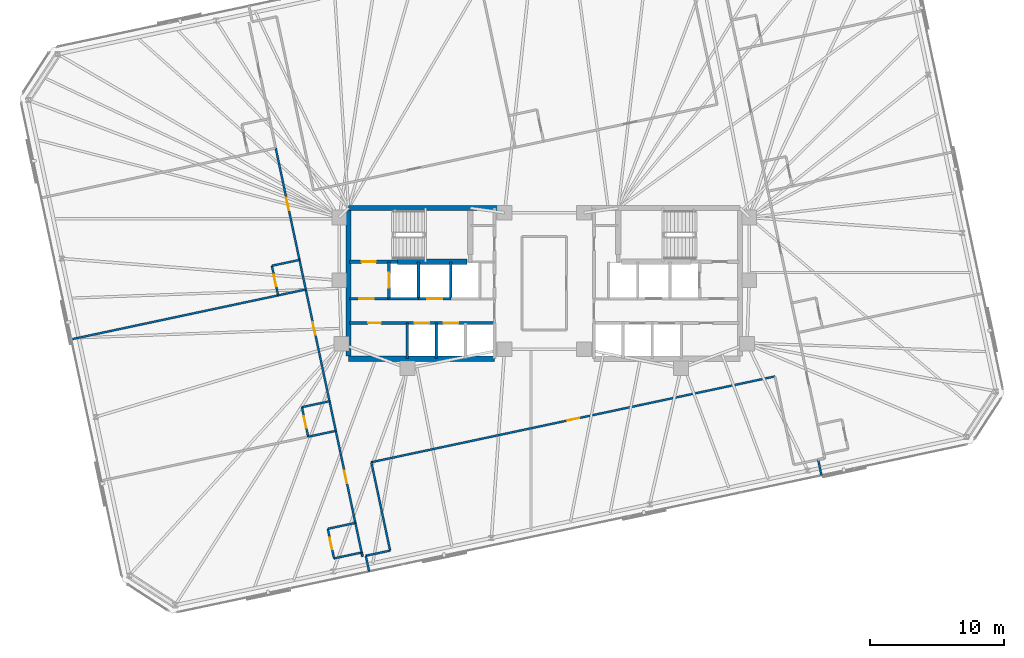
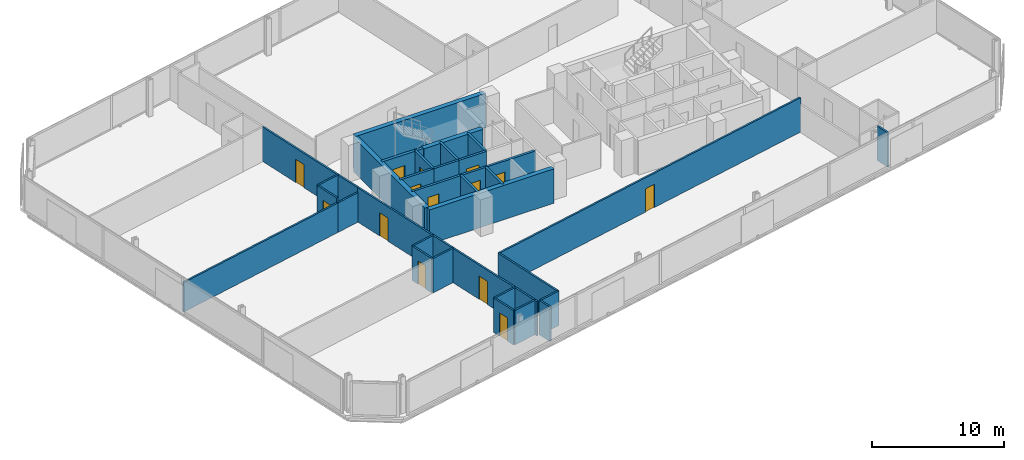
# One storey, part 14 of 19: 36 walls, 14 doors, 14 openings.
"""IFC4 building model written with IfcOpenShell, lengths in metres."""

from ifc_helpers import new_model, si_unit, direction, frame, frame_2d, origin, place, context, subcontext, project, spatial, rectangle, extrude, material, layer, layer_set, type_object, element, fill, save


model = new_model("IFC4")

# Units and contexts
model_context = context("Model", 3, precision=1e-05, world=origin(), true_north=direction((0.0, 1.0)))
body_context = subcontext(model_context, "Body", "Model", "MODEL_VIEW")
ifc_project = project(units=[si_unit("LENGTHUNIT", "METRE"), si_unit("AREAUNIT", "SQUARE_METRE"), si_unit("VOLUMEUNIT", "CUBIC_METRE"), si_unit("PLANEANGLEUNIT", "RADIAN"), si_unit("MASSUNIT", "GRAM", prefix="KILO")], contexts=[model_context])

# Site, building, storey
site_placement = place(None, origin())
site = spatial("IfcSite", under=ifc_project, at=site_placement, CompositionType="ELEMENT")
building_placement = place(site_placement, origin())
building = spatial("IfcBuilding", under=site, at=building_placement, Name="Menara Jurai Vektor", CompositionType="ELEMENT")
storey_placement = place(building_placement, frame((0.0, 0.0, 171.800048828125)))
storey = spatial("IfcBuildingStorey", under=building, at=storey_placement, Name="L44", CompositionType="ELEMENT", Elevation=171.800048828125)

# Wall, opening, door
ifc_material_1 = material(Name="Concrete C40/50", Category="concrete")
ifc_layer_1 = layer(ifc_material_1, 0.25)
ifc_layer_set_1 = layer_set([ifc_layer_1], Name="Concrete C40/50")
wall_type_1 = type_object("IfcWallType", Name="INT-WALL-CORE-250", PredefinedType="STANDARD", material=ifc_layer_set_1)
wall_1_placement = place(storey_placement, frame((-14.5, 1.60009765625, 0.0), z_axis=(0.0, 0.0, 1.0), x_axis=(1.0, 0.0, 0.0)))
wall_1 = element("IfcWall", 1, at=wall_1_placement, inside=storey, type_object=wall_type_1, Name="Interior Wall IW-250 L44", PredefinedType="STANDARD", context=body_context, shape_type="SweptSolid", body=[
    extrude(rectangle(XDim=3.60009765625, YDim=0.25, at=frame_2d((1.800048828125, 0.0))), origin(), (0.0, 0.0, 1.0), 3.175048828125),
])
opening_1_placement = place(wall_1_placement, frame((0.919921875, 0.0, 0.0)))
opening_1 = element("IfcOpeningElement", 2, at=opening_1_placement, cuts=wall_1, Name="Opening D-L44-ST1", PredefinedType="OPENING", context=body_context, shape_type="SweptSolid", body=[
    extrude(rectangle(XDim=1.050048828125, YDim=2.14990234375, at=frame_2d((0.52490234375, 1.074951171875))), frame((0.0, 0.135009765625, 0.0), z_axis=(0.0, -1.0, 0.0), x_axis=(1.0, 0.0, 0.0)), (0.0, 0.0, 1.0), 0.27001953125),
])
ifc_material_2 = material(Name="Fire-Rated Steel Door", Category="steel")
door_type_1 = type_object("IfcDoorType", Name="DR-STAIR-1050", OperationType="NOTDEFINED", PredefinedType="DOOR", material=ifc_material_2)
door_1_placement = place(opening_1_placement, origin())
door_1 = element("IfcDoor", 3, at=door_1_placement, inside=storey, type_object=door_type_1, Name="Exit Stair ST1 Door L44", OperationType="SINGLE_SWING_RIGHT", OverallHeight=2.14990234375, OverallWidth=1.050048828125, PredefinedType="DOOR", context=body_context, shape_type="SweptSolid", body=[
    extrude(rectangle(XDim=1.050048828125, YDim=2.14990234375, at=frame_2d((0.52490234375, 1.074951171875))), frame((0.0, 0.02490234375, 0.0), z_axis=(0.0, -1.0, 0.0), x_axis=(1.0, 0.0, 0.0)), (0.0, 0.0, 1.0), 0.050048828125),
])
fill(opening_1, door_1)

wall_2_placement = place(storey_placement, frame((-11.550048828125, -1.14990234375, 0.0), z_axis=(0.0, 0.0, 1.0), x_axis=(0.0, 1.0, 0.0)))
wall_2 = element("IfcWall", 4, at=wall_2_placement, inside=storey, type_object=wall_type_1, Name="Interior Wall IW-250 L44", PredefinedType="STANDARD", context=body_context, shape_type="SweptSolid", body=[
    extrude(rectangle(XDim=2.75, YDim=0.199951171875, at=frame_2d((1.375, 0.0))), origin(), (0.0, 0.0, 1.0), 3.175048828125),
])
opening_2_placement = place(wall_2_placement, frame((0.824951171875, 0.0, 0.0)))
opening_2 = element("IfcOpeningElement", 5, at=opening_2_placement, cuts=wall_2, Name="Opening LD-L44-FL1", PredefinedType="OPENING", context=body_context, shape_type="SweptSolid", body=[
    extrude(rectangle(XDim=1.10009765625, YDim=2.14990234375, at=frame_2d((0.550048828125, 1.074951171875))), frame((0.0, 0.10986328125, 0.0), z_axis=(0.0, -1.0, 0.0), x_axis=(1.0, 0.0, 0.0)), (0.0, 0.0, 1.0), 0.219970703125),
])
ifc_material_3 = material(Name="Stainless Steel Sliding Lift Landing Door", Category="steel")
door_type_2 = type_object("IfcDoorType", Name="DR-LIFT-FIRE-1100", OperationType="NOTDEFINED", PredefinedType="DOOR", material=ifc_material_3)
door_2_placement = place(opening_2_placement, origin())
door_2 = element("IfcDoor", 6, at=door_2_placement, inside=storey, type_object=door_type_2, Name="Lift Landing Door FL1 L44", OperationType="SLIDING_TO_RIGHT", OverallHeight=2.14990234375, OverallWidth=1.10009765625, PredefinedType="DOOR", context=body_context, shape_type="SweptSolid", body=[
    extrude(rectangle(XDim=1.10009765625, YDim=2.14990234375, at=frame_2d((0.550048828125, 1.074951171875))), frame((0.0, 0.02490234375, 0.0), z_axis=(0.0, -1.0, 0.0), x_axis=(1.0, 0.0, 0.0)), (0.0, 0.0, 1.0), 0.050048828125),
])
fill(opening_2, door_2)

# Wall
wall_3_placement = place(storey_placement, frame((-9.35009765625, -1.14990234375, 0.0), z_axis=(0.0, 0.0, 1.0), x_axis=(0.0, 1.0, 0.0)))
element("IfcWall", 7, at=wall_3_placement, inside=storey, type_object=wall_type_1, Name="Interior Wall IW-250 L44", PredefinedType="STANDARD", context=body_context, shape_type="SweptSolid", body=[
    extrude(rectangle(XDim=2.75, YDim=0.199951171875, at=frame_2d((1.375, 0.0))), origin(), (0.0, 0.0, 1.0), 3.175048828125),
])

# Wall, opening, door
wall_4_placement = place(storey_placement, frame((-14.5, -1.14990234375, 0.0), z_axis=(0.0, 0.0, 1.0), x_axis=(1.0, 0.0, 0.0)))
wall_4 = element("IfcWall", 8, at=wall_4_placement, inside=storey, type_object=wall_type_1, Name="Interior Wall IW-250 L44", PredefinedType="STANDARD", context=body_context, shape_type="SweptSolid", body=[
    extrude(rectangle(XDim=2.949951171875, YDim=0.199951171875, at=frame_2d((1.47509765625, 0.0))), origin(), (0.0, 0.0, 1.0), 3.175048828125),
])
opening_3_placement = place(wall_4_placement, frame((0.75, 0.0, 0.0)))
opening_3 = element("IfcOpeningElement", 9, at=opening_3_placement, cuts=wall_4, Name="Opening D-L44-FFW", PredefinedType="OPENING", context=body_context, shape_type="SweptSolid", body=[
    extrude(rectangle(XDim=1.050048828125, YDim=2.179931640625, at=frame_2d((0.52490234375, 1.08984375))), frame((0.0, 0.10986328125, 0.0), z_axis=(0.0, -1.0, 0.0), x_axis=(1.0, 0.0, 0.0)), (0.0, 0.0, 1.0), 0.219970703125),
])
ifc_material_4 = material(Name="Fire-Rated Timber Door", Category="wood")
door_type_3 = type_object("IfcDoorType", Name="DR-LOBBY-1050", OperationType="NOTDEFINED", PredefinedType="DOOR", material=ifc_material_4)
door_3_placement = place(opening_3_placement, origin())
door_3 = element("IfcDoor", 10, at=door_3_placement, inside=storey, type_object=door_type_3, Name="Fire Lift Lobby Door W L44", OperationType="SINGLE_SWING_RIGHT", OverallHeight=2.179931640625, OverallWidth=1.050048828125, PredefinedType="DOOR", context=body_context, shape_type="SweptSolid", body=[
    extrude(rectangle(XDim=1.050048828125, YDim=2.179931640625, at=frame_2d((0.52490234375, 1.08984375))), frame((0.0, 0.02490234375, 0.0), z_axis=(0.0, -1.0, 0.0), x_axis=(1.0, 0.0, 0.0)), (0.0, 0.0, 1.0), 0.050048828125),
])
fill(opening_3, door_3)

# Walls
wall_5_placement = place(storey_placement, frame((-11.550048828125, -1.14990234375, 0.0), z_axis=(0.0, 0.0, 1.0), x_axis=(1.0, 0.0, 0.0)))
element("IfcWall", 11, at=wall_5_placement, inside=storey, type_object=wall_type_1, Name="Interior Wall IW-250 L44", PredefinedType="STANDARD", context=body_context, shape_type="SweptSolid", body=[
    extrude(rectangle(XDim=2.199951171875, YDim=0.199951171875, at=frame_2d((1.10009765625, 0.0))), origin(), (0.0, 0.0, 1.0), 3.175048828125),
])
ifc_material_5 = material(Name="Gypsum Fireboard Partition", Category="gypsum")
ifc_layer_2 = layer(ifc_material_5, 0.14990234375)
ifc_layer_set_2 = layer_set([ifc_layer_2], Name="Gypsum Fireboard Partition")
wall_type_2 = type_object("IfcWallType", Name="INT-WALL-CORR-150", PredefinedType="PARTITIONING", material=ifc_layer_set_2)
wall_6_placement = place(storey_placement, frame((-13.274169921875, -20.264892578125, 0.0), z_axis=(0.0, 0.0, 1.0), x_axis=(0.978160192495, 0.207852442415, 0.0)))
element("IfcWall", 12, at=wall_6_placement, inside=storey, type_object=wall_type_2, Name="Interior Wall IW-150 L44", PredefinedType="PARTITIONING", context=body_context, shape_type="SweptSolid", body=[
    extrude(rectangle(XDim=1.849853515625, YDim=0.14990234375, at=frame_2d((0.9248046875, 0.0))), origin(), (0.0, 0.0, 1.0), 3.175048828125),
])
wall_7_placement = place(storey_placement, frame((-11.464599609375, -19.88037109375, 0.0), z_axis=(0.0, 0.0, 1.0), x_axis=(-0.207916109912, 0.978146661416, 0.0)))
element("IfcWall", 13, at=wall_7_placement, inside=storey, type_object=wall_type_2, Name="Interior Wall IW-150 L44", PredefinedType="PARTITIONING", context=body_context, shape_type="SweptSolid", body=[
    extrude(rectangle(XDim=6.72021484375, YDim=0.14990234375, at=frame_2d((3.360107421875, 0.0))), origin(), (0.0, 0.0, 1.0), 3.175048828125),
])

# Wall, opening, door
wall_8_placement = place(storey_placement, frame((-12.86181640625, -13.30712890625, 0.0), z_axis=(0.0, 0.0, 1.0), x_axis=(0.97814793387, 0.207910123527, 0.0)))
wall_8 = element("IfcWall", 14, at=wall_8_placement, inside=storey, type_object=wall_type_2, Name="Interior Wall IW-150 L44", PredefinedType="PARTITIONING", context=body_context, shape_type="SweptSolid", body=[
    extrude(rectangle(XDim=30.695068359375, YDim=0.14990234375, at=frame_2d((15.34765625, 0.0))), origin(), (0.0, 0.0, 1.0), 3.175048828125),
])
opening_4_placement = place(wall_8_placement, frame((14.887451171875, 0.0, 0.0)))
opening_4 = element("IfcOpeningElement", 15, at=opening_4_placement, cuts=wall_8, Name="Opening D44-10", PredefinedType="OPENING", context=body_context, shape_type="SweptSolid", body=[
    extrude(rectangle(XDim=0.919921875, YDim=2.14990234375, at=frame_2d((0.4599609375, 1.074951171875))), frame((0.0, 0.0849609375, 0.0), z_axis=(0.0, -1.0, 0.0), x_axis=(1.0, 0.0, 0.0)), (0.0, 0.0, 1.0), 0.169921875),
])
ifc_material_6 = material(Name="Solid Core Timber Fire Door", Category="wood")
door_type_4 = type_object("IfcDoorType", Name="DR-ENTRY-950", OperationType="NOTDEFINED", PredefinedType="DOOR", material=ifc_material_6)
door_4_placement = place(opening_4_placement, origin())
door_4 = element("IfcDoor", 16, at=door_4_placement, inside=storey, type_object=door_type_4, Name="Interior Door D44-10", OperationType="SINGLE_SWING_LEFT", OverallHeight=2.14990234375, OverallWidth=0.919921875, PredefinedType="DOOR", context=body_context, shape_type="SweptSolid", body=[
    extrude(rectangle(XDim=0.919921875, YDim=2.14990234375, at=frame_2d((0.4599609375, 1.074951171875))), frame((0.0, 0.02490234375, 0.0), z_axis=(0.0, -1.0, 0.0), x_axis=(1.0, 0.0, 0.0)), (0.0, 0.0, 1.0), 0.050048828125),
])
fill(opening_4, door_4)

# Wall
wall_9_placement = place(storey_placement, frame((-13.518798828125, -20.31689453125, 0.0), z_axis=(0.0, 0.0, 1.0), x_axis=(-0.207527808066, 0.978229118806, 0.0)))
element("IfcWall", 17, at=wall_9_placement, inside=storey, type_object=wall_type_2, Name="Interior Wall IW-150 L44", PredefinedType="PARTITIONING", context=body_context, shape_type="SweptSolid", body=[
    extrude(rectangle(XDim=0.300048828125, YDim=0.14990234375, at=frame_2d((0.14990234375, 0.0))), origin(), (0.0, 0.0, 1.0), 3.175048828125),
])

# Wall, opening, door
wall_10_placement = place(storey_placement, frame((-14.048828125, -17.822509765625, 0.0), z_axis=(0.0, 0.0, 1.0), x_axis=(-0.207940096132, 0.978141562567, 0.0)))
wall_10 = element("IfcWall", 18, at=wall_10_placement, inside=storey, type_object=wall_type_2, Name="Interior Wall IW-150 L44", PredefinedType="PARTITIONING", context=body_context, shape_type="SweptSolid", body=[
    extrude(rectangle(XDim=7.0, YDim=0.14990234375, at=frame_2d((3.5, 0.0))), origin(), (0.0, 0.0, 1.0), 3.175048828125),
])
opening_5_placement = place(wall_10_placement, frame((3.02490234375, 0.0, 0.0)))
opening_5 = element("IfcOpeningElement", 19, at=opening_5_placement, cuts=wall_10, Name="Opening D44-11", PredefinedType="OPENING", context=body_context, shape_type="SweptSolid", body=[
    extrude(rectangle(XDim=0.949951171875, YDim=2.14990234375, at=frame_2d((0.47509765625, 1.074951171875))), frame((0.0, 0.0849609375, 0.0), z_axis=(0.0, -1.0, 0.0), x_axis=(1.0, 0.0, 0.0)), (0.0, 0.0, 1.0), 0.169921875),
])
door_5_placement = place(opening_5_placement, origin())
door_5 = element("IfcDoor", 20, at=door_5_placement, inside=storey, type_object=door_type_4, Name="Interior Door D44-11", OperationType="SINGLE_SWING_RIGHT", OverallHeight=2.14990234375, OverallWidth=0.949951171875, PredefinedType="DOOR", context=body_context, shape_type="SweptSolid", body=[
    extrude(rectangle(XDim=0.949951171875, YDim=2.14990234375, at=frame_2d((0.47509765625, 1.074951171875))), frame((0.0, 0.02490234375, 0.0), z_axis=(0.0, -1.0, 0.0), x_axis=(1.0, 0.0, 0.0)), (0.0, 0.0, 1.0), 0.050048828125),
])
fill(opening_5, door_5)

# Wall
wall_11_placement = place(storey_placement, frame((-13.5810546875, -20.0234375, 0.0), z_axis=(0.0, 0.0, 1.0), x_axis=(-0.207891197838, 0.978151956427, 0.0)))
element("IfcWall", 21, at=wall_11_placement, inside=storey, type_object=wall_type_2, Name="Interior Wall IW-150 L44", PredefinedType="PARTITIONING", context=body_context, shape_type="SweptSolid", body=[
    extrude(rectangle(XDim=2.25, YDim=0.14990234375, at=frame_2d((1.125, 0.0))), origin(), (0.0, 0.0, 1.0), 3.175048828125),
])

# Wall, opening, door
wall_12_placement = place(storey_placement, frame((-15.97216796875, -8.774658203125, 0.0), z_axis=(0.0, 0.0, 1.0), x_axis=(-0.207894825434, 0.97815118543, 0.0)))
wall_12 = element("IfcWall", 22, at=wall_12_placement, inside=storey, type_object=wall_type_2, Name="Interior Wall IW-150 L44", PredefinedType="PARTITIONING", context=body_context, shape_type="SweptSolid", body=[
    extrude(rectangle(XDim=8.5, YDim=0.14990234375, at=frame_2d((4.25, 0.0))), origin(), (0.0, 0.0, 1.0), 3.175048828125),
])
opening_6_placement = place(wall_12_placement, frame((5.050048828125, 0.0, 0.0)))
opening_6 = element("IfcOpeningElement", 23, at=opening_6_placement, cuts=wall_12, Name="Opening D44-13", PredefinedType="OPENING", context=body_context, shape_type="SweptSolid", body=[
    extrude(rectangle(XDim=0.949951171875, YDim=2.14990234375, at=frame_2d((0.47509765625, 1.074951171875))), frame((0.0, 0.0849609375, 0.0), z_axis=(0.0, -1.0, 0.0), x_axis=(1.0, 0.0, 0.0)), (0.0, 0.0, 1.0), 0.169921875),
])
door_6_placement = place(opening_6_placement, origin())
door_6 = element("IfcDoor", 24, at=door_6_placement, inside=storey, type_object=door_type_4, Name="Interior Door D44-13", OperationType="SINGLE_SWING_RIGHT", OverallHeight=2.14990234375, OverallWidth=0.949951171875, PredefinedType="DOOR", context=body_context, shape_type="SweptSolid", body=[
    extrude(rectangle(XDim=0.949951171875, YDim=2.14990234375, at=frame_2d((0.47509765625, 1.074951171875))), frame((0.0, 0.02490234375, 0.0), z_axis=(0.0, -1.0, 0.0), x_axis=(1.0, 0.0, 0.0)), (0.0, 0.0, 1.0), 0.050048828125),
])
fill(opening_6, door_6)

# Wall
wall_13_placement = place(storey_placement, frame((-15.50439453125, -10.9755859375, 0.0), z_axis=(0.0, 0.0, 1.0), x_axis=(-0.207891197838, 0.978151956427, 0.0)))
element("IfcWall", 25, at=wall_13_placement, inside=storey, type_object=wall_type_2, Name="Interior Wall IW-150 L44", PredefinedType="PARTITIONING", context=body_context, shape_type="SweptSolid", body=[
    extrude(rectangle(XDim=2.25, YDim=0.14990234375, at=frame_2d((1.125, 0.0))), origin(), (0.0, 0.0, 1.0), 3.175048828125),
])

# Wall, opening, door
wall_14_placement = place(storey_placement, frame((-18.20703125, 1.740478515625, 0.0), z_axis=(0.0, 0.0, 1.0), x_axis=(-0.207922306475, 0.978145344246, 0.0)))
wall_14 = element("IfcWall", 26, at=wall_14_placement, inside=storey, type_object=wall_type_2, Name="Interior Wall IW-150 L44", PredefinedType="PARTITIONING", context=body_context, shape_type="SweptSolid", body=[
    extrude(rectangle(XDim=8.5, YDim=0.14990234375, at=frame_2d((4.25, 0.0))), origin(), (0.0, 0.0, 1.0), 3.175048828125),
])
opening_7_placement = place(wall_14_placement, frame((3.77490234375, 0.0, 0.0)))
opening_7 = element("IfcOpeningElement", 27, at=opening_7_placement, cuts=wall_14, Name="Opening D44-15", PredefinedType="OPENING", context=body_context, shape_type="SweptSolid", body=[
    extrude(rectangle(XDim=0.949951171875, YDim=2.14990234375, at=frame_2d((0.47509765625, 1.074951171875))), frame((0.0, 0.0849609375, 0.0), z_axis=(0.0, -1.0, 0.0), x_axis=(1.0, 0.0, 0.0)), (0.0, 0.0, 1.0), 0.169921875),
])
door_7_placement = place(opening_7_placement, origin())
door_7 = element("IfcDoor", 28, at=door_7_placement, inside=storey, type_object=door_type_4, Name="Interior Door D44-15", OperationType="SINGLE_SWING_RIGHT", OverallHeight=2.14990234375, OverallWidth=0.949951171875, PredefinedType="DOOR", context=body_context, shape_type="SweptSolid", body=[
    extrude(rectangle(XDim=0.949951171875, YDim=2.14990234375, at=frame_2d((0.47509765625, 1.074951171875))), frame((0.0, 0.02490234375, 0.0), z_axis=(0.0, -1.0, 0.0), x_axis=(1.0, 0.0, 0.0)), (0.0, 0.0, 1.0), 0.050048828125),
])
fill(opening_7, door_7)

# Walls
wall_15_placement = place(storey_placement, frame((-17.7392578125, -0.46044921875, 0.0), z_axis=(0.0, 0.0, 1.0), x_axis=(-0.207891197838, 0.978151956427, 0.0)))
element("IfcWall", 29, at=wall_15_placement, inside=storey, type_object=wall_type_2, Name="Interior Wall IW-150 L44", PredefinedType="PARTITIONING", context=body_context, shape_type="SweptSolid", body=[
    extrude(rectangle(XDim=2.25, YDim=0.14990234375, at=frame_2d((1.125, 0.0))), origin(), (0.0, 0.0, 1.0), 3.175048828125),
])
for number, where, z_axis, x_axis, name in (
    (30, (-13.024658203125, -21.438720703125, 0.0), (0.0, 0.0, 1.0), (-0.207917150959, 0.978146440129, 0.0), "Interior Wall IW-150 L44"),
    (31, (20.61865234375, -14.28759765625, 0.0), (0.0, 0.0, 1.0), (-0.207917150959, 0.978146440129, 0.0), "Interior Wall IW-150 L44"),
):
    element("IfcWall", number, at=place(storey_placement, frame(where, z_axis=z_axis, x_axis=x_axis)), inside=storey, type_object=wall_type_2, Name=name, PredefinedType="PARTITIONING", context=body_context, shape_type="SweptSolid", body=[
        extrude(rectangle(XDim=1.199951171875, YDim=0.14990234375, at=frame_2d((0.60009765625, 0.0))), origin(), (0.0, 0.0, 1.0), 3.175048828125),
    ])

# Wall, opening, door
wall_16_placement = place(storey_placement, frame((-15.63525390625, -20.4599609375, 0.0), z_axis=(0.0, 0.0, 1.0), x_axis=(-0.207913264065, 0.978147266328, 0.0)))
wall_16 = element("IfcWall", 32, at=wall_16_placement, inside=storey, type_object=wall_type_2, Name="Interior Wall IW-150 L44", PredefinedType="PARTITIONING", context=body_context, shape_type="SweptSolid", body=[
    extrude(rectangle(XDim=2.249755859375, YDim=0.14990234375, at=frame_2d((1.125, 0.0))), origin(), (0.0, 0.0, 1.0), 3.175048828125),
])
opening_8_placement = place(wall_16_placement, frame((0.68505859375, 0.0, 0.0)))
opening_8 = element("IfcOpeningElement", 33, at=opening_8_placement, cuts=wall_16, Name="Opening D44-12", PredefinedType="OPENING", context=body_context, shape_type="SweptSolid", body=[
    extrude(rectangle(XDim=0.8798828125, YDim=2.14990234375, at=frame_2d((0.43994140625, 1.074951171875))), frame((0.0, 0.0849609375, 0.0), z_axis=(0.0, -1.0, 0.0), x_axis=(1.0, 0.0, 0.0)), (0.0, 0.0, 1.0), 0.169921875),
])
ifc_material_7 = material(Name="Moisture-Resistant Timber Door", Category="wood")
door_type_5 = type_object("IfcDoorType", Name="DR-BATH-880", OperationType="NOTDEFINED", PredefinedType="DOOR", material=ifc_material_7)
door_8_placement = place(opening_8_placement, origin())
door_8 = element("IfcDoor", 34, at=door_8_placement, inside=storey, type_object=door_type_5, Name="Interior Door D44-12", OperationType="SINGLE_SWING_LEFT", OverallHeight=2.14990234375, OverallWidth=0.8798828125, PredefinedType="DOOR", context=body_context, shape_type="SweptSolid", body=[
    extrude(rectangle(XDim=0.8798828125, YDim=2.14990234375, at=frame_2d((0.43994140625, 1.074951171875))), frame((0.0, 0.02490234375, 0.0), z_axis=(0.0, -1.0, 0.0), x_axis=(1.0, 0.0, 0.0)), (0.0, 0.0, 1.0), 0.050048828125),
])
fill(opening_8, door_8)

# Walls
for number, where, z_axis, x_axis, name in (
    (35, (-15.63525390625, -20.4599609375, 0.0), (0.0, 0.0, 1.0), (0.97815826, 0.207861536591, 0.0), "Interior Wall IW-150 L44"),
    (36, (-16.10302734375, -18.25927734375, 0.0), (0.0, 0.0, 1.0), (0.978134617382, 0.207972763311, 0.0), "Interior Wall IW-150 L44"),
):
    element("IfcWall", number, at=place(storey_placement, frame(where, z_axis=z_axis, x_axis=x_axis)), inside=storey, type_object=wall_type_2, Name=name, PredefinedType="PARTITIONING", context=body_context, shape_type="SweptSolid", body=[
        extrude(rectangle(XDim=2.10009765625, YDim=0.14990234375, at=frame_2d((1.050048828125, 0.0))), origin(), (0.0, 0.0, 1.0), 3.175048828125),
    ])
wall_17_placement = place(storey_placement, frame((-17.558349609375, -11.412109375, 0.0), z_axis=(0.0, 0.0, 1.0), x_axis=(0.978153236239, 0.207885176084, 0.0)))
element("IfcWall", 37, at=wall_17_placement, inside=storey, type_object=wall_type_2, Name="Interior Wall IW-150 L44", PredefinedType="PARTITIONING", context=body_context, shape_type="SweptSolid", body=[
    extrude(rectangle(XDim=2.099853515625, YDim=0.14990234375, at=frame_2d((1.0498046875, 0.0))), origin(), (0.0, 0.0, 1.0), 3.175048828125),
])

# Wall, opening, door
wall_18_placement = place(storey_placement, frame((-17.558349609375, -11.412109375, 0.0), z_axis=(0.0, 0.0, 1.0), x_axis=(-0.207891197838, 0.978151956427, 0.0)))
wall_18 = element("IfcWall", 38, at=wall_18_placement, inside=storey, type_object=wall_type_2, Name="Interior Wall IW-150 L44", PredefinedType="PARTITIONING", context=body_context, shape_type="SweptSolid", body=[
    extrude(rectangle(XDim=2.25, YDim=0.14990234375, at=frame_2d((1.125, 0.0))), origin(), (0.0, 0.0, 1.0), 3.175048828125),
])
opening_9_placement = place(wall_18_placement, frame((0.68505859375, 0.0, 0.0)))
opening_9 = element("IfcOpeningElement", 39, at=opening_9_placement, cuts=wall_18, Name="Opening D44-14", PredefinedType="OPENING", context=body_context, shape_type="SweptSolid", body=[
    extrude(rectangle(XDim=0.8798828125, YDim=2.14990234375, at=frame_2d((0.43994140625, 1.074951171875))), frame((0.0, 0.0849609375, 0.0), z_axis=(0.0, -1.0, 0.0), x_axis=(1.0, 0.0, 0.0)), (0.0, 0.0, 1.0), 0.169921875),
])
door_9_placement = place(opening_9_placement, origin())
door_9 = element("IfcDoor", 40, at=door_9_placement, inside=storey, type_object=door_type_5, Name="Interior Door D44-14", OperationType="SINGLE_SWING_LEFT", OverallHeight=2.14990234375, OverallWidth=0.8798828125, PredefinedType="DOOR", context=body_context, shape_type="SweptSolid", body=[
    extrude(rectangle(XDim=0.8798828125, YDim=2.14990234375, at=frame_2d((0.43994140625, 1.074951171875))), frame((0.0, 0.02490234375, 0.0), z_axis=(0.0, -1.0, 0.0), x_axis=(1.0, 0.0, 0.0)), (0.0, 0.0, 1.0), 0.050048828125),
])
fill(opening_9, door_9)

# Wall
wall_19_placement = place(storey_placement, frame((-18.026123046875, -9.211181640625, 0.0), z_axis=(0.0, 0.0, 1.0), x_axis=(0.978153236239, 0.207885176084, 0.0)))
element("IfcWall", 41, at=wall_19_placement, inside=storey, type_object=wall_type_2, Name="Interior Wall IW-150 L44", PredefinedType="PARTITIONING", context=body_context, shape_type="SweptSolid", body=[
    extrude(rectangle(XDim=2.099853515625, YDim=0.14990234375, at=frame_2d((1.0498046875, 0.0))), origin(), (0.0, 0.0, 1.0), 3.175048828125),
])

# Wall, opening, door
wall_20_placement = place(storey_placement, frame((-19.79345703125, -0.897216796875, 0.0), z_axis=(0.0, 0.0, 1.0), x_axis=(-0.207891197838, 0.978151956427, 0.0)))
wall_20 = element("IfcWall", 42, at=wall_20_placement, inside=storey, type_object=wall_type_2, Name="Interior Wall IW-150 L44", PredefinedType="PARTITIONING", context=body_context, shape_type="SweptSolid", body=[
    extrude(rectangle(XDim=2.25, YDim=0.14990234375, at=frame_2d((1.125, 0.0))), origin(), (0.0, 0.0, 1.0), 3.175048828125),
])
opening_10_placement = place(wall_20_placement, frame((0.68505859375, 0.0, 0.0)))
opening_10 = element("IfcOpeningElement", 43, at=opening_10_placement, cuts=wall_20, Name="Opening D44-16", PredefinedType="OPENING", context=body_context, shape_type="SweptSolid", body=[
    extrude(rectangle(XDim=0.8798828125, YDim=2.14990234375, at=frame_2d((0.43994140625, 1.074951171875))), frame((0.0, 0.0849609375, 0.0), z_axis=(0.0, -1.0, 0.0), x_axis=(1.0, 0.0, 0.0)), (0.0, 0.0, 1.0), 0.169921875),
])
door_10_placement = place(opening_10_placement, origin())
door_10 = element("IfcDoor", 44, at=door_10_placement, inside=storey, type_object=door_type_5, Name="Interior Door D44-16", OperationType="SINGLE_SWING_LEFT", OverallHeight=2.14990234375, OverallWidth=0.8798828125, PredefinedType="DOOR", context=body_context, shape_type="SweptSolid", body=[
    extrude(rectangle(XDim=0.8798828125, YDim=2.14990234375, at=frame_2d((0.43994140625, 1.074951171875))), frame((0.0, 0.02490234375, 0.0), z_axis=(0.0, -1.0, 0.0), x_axis=(1.0, 0.0, 0.0)), (0.0, 0.0, 1.0), 0.050048828125),
])
fill(opening_10, door_10)

# Walls
wall_21_placement = place(storey_placement, frame((-20.26123046875, 1.3037109375, 0.0), z_axis=(0.0, 0.0, 1.0), x_axis=(0.978134617382, 0.207972763311, 0.0)))
element("IfcWall", 45, at=wall_21_placement, inside=storey, type_object=wall_type_2, Name="Interior Wall IW-150 L44", PredefinedType="PARTITIONING", context=body_context, shape_type="SweptSolid", body=[
    extrude(rectangle(XDim=2.10009765625, YDim=0.14990234375, at=frame_2d((1.050048828125, 0.0))), origin(), (0.0, 0.0, 1.0), 3.175048828125),
])
ifc_layer_3 = layer(ifc_material_5, 0.14990234375)
ifc_layer_set_3 = layer_set([ifc_layer_3], Name="Gypsum Fireboard Partition")
wall_type_3 = type_object("IfcWallType", Name="INT-WALL-CORR-150-H1", PredefinedType="PARTITIONING", material=ifc_layer_set_3)
wall_22_placement = place(storey_placement, frame((-35.16796875, -4.1650390625, 0.0), z_axis=(0.0, 0.0, 1.0), x_axis=(0.978149296727, 0.207903711638, 0.0)))
element("IfcWall", 46, at=wall_22_placement, inside=storey, type_object=wall_type_3, Name="Interior Wall IW-150 L44", PredefinedType="PARTITIONING", context=body_context, shape_type="SweptSolid", body=[
    extrude(rectangle(XDim=15.718017578125, YDim=0.14990234375, at=frame_2d((7.85888671875, 0.0))), origin(), (0.0, 0.0, 1.0), 2.724853515625),
])
wall_23_placement = place(storey_placement, frame((-19.79345703125, -0.897216796875, 0.0), z_axis=(0.0, 0.0, 1.0), x_axis=(0.978134617382, 0.207972763311, 0.0)))
element("IfcWall", 47, at=wall_23_placement, inside=storey, type_object=wall_type_3, Name="Interior Wall IW-150 L44", PredefinedType="PARTITIONING", context=body_context, shape_type="SweptSolid", body=[
    extrude(rectangle(XDim=2.10009765625, YDim=0.14990234375, at=frame_2d((1.050048828125, 0.0))), origin(), (0.0, 0.0, 1.0), 2.724853515625),
])
ifc_layer_4 = layer(ifc_material_1, 0.199951171875)
ifc_layer_set_4 = layer_set([ifc_layer_4], Name="Concrete C40/50")
wall_type_4 = type_object("IfcWallType", Name="INT-WALL-SHAFT-200", PredefinedType="STANDARD", material=ifc_layer_set_4)
wall_24_placement = place(storey_placement, frame((-6.949951171875, -1.14990234375, 0.0), z_axis=(0.0, 0.0, 1.0), x_axis=(0.0, 1.0, 0.0)))
element("IfcWall", 48, at=wall_24_placement, inside=storey, type_object=wall_type_4, Name="Interior Wall IW-200 L44", PredefinedType="STANDARD", context=body_context, shape_type="SweptSolid", body=[
    extrude(rectangle(XDim=2.75, YDim=0.199951171875, at=frame_2d((1.375, 0.0))), origin(), (0.0, 0.0, 1.0), 3.175048828125),
])

# Wall, opening, door
wall_25_placement = place(storey_placement, frame((-9.35009765625, -1.14990234375, 0.0), z_axis=(0.0, 0.0, 1.0), x_axis=(1.0, 0.0, 0.0)))
wall_25 = element("IfcWall", 49, at=wall_25_placement, inside=storey, type_object=wall_type_4, Name="Interior Wall IW-200 L44", PredefinedType="STANDARD", context=body_context, shape_type="SweptSolid", body=[
    extrude(rectangle(XDim=2.400146484375, YDim=0.199951171875, at=frame_2d((1.2001953125, 0.0))), origin(), (0.0, 0.0, 1.0), 3.175048828125),
])
opening_11_placement = place(wall_25_placement, frame((0.64990234375, 0.0, 0.0)))
opening_11 = element("IfcOpeningElement", 50, at=opening_11_placement, cuts=wall_25, Name="Opening LD-L44-SVL1", PredefinedType="OPENING", context=body_context, shape_type="SweptSolid", body=[
    extrude(rectangle(XDim=1.10009765625, YDim=2.14990234375, at=frame_2d((0.550048828125, 1.074951171875))), frame((0.0, 0.10986328125, 0.0), z_axis=(0.0, -1.0, 0.0), x_axis=(1.0, 0.0, 0.0)), (0.0, 0.0, 1.0), 0.219970703125),
])
ifc_material_8 = material(Name="Anodised Stainless Sliding Lift Landing Door", Category="steel")
door_type_6 = type_object("IfcDoorType", Name="DR-LIFT-PASS-1100", OperationType="NOTDEFINED", PredefinedType="DOOR", material=ifc_material_8)
door_11_placement = place(opening_11_placement, origin())
door_11 = element("IfcDoor", 51, at=door_11_placement, inside=storey, type_object=door_type_6, Name="Lift Landing Door SVL1 L44", OperationType="SLIDING_TO_RIGHT", OverallHeight=2.14990234375, OverallWidth=1.10009765625, PredefinedType="DOOR", context=body_context, shape_type="SweptSolid", body=[
    extrude(rectangle(XDim=1.10009765625, YDim=2.14990234375, at=frame_2d((0.550048828125, 1.074951171875))), frame((0.0, 0.02490234375, 0.0), z_axis=(0.0, -1.0, 0.0), x_axis=(1.0, 0.0, 0.0)), (0.0, 0.0, 1.0), 0.050048828125),
])
fill(opening_11, door_11)

# Wall, openings, doors
wall_26_placement = place(storey_placement, frame((-14.5, -2.949951171875, 0.0), z_axis=(0.0, 0.0, 1.0), x_axis=(1.0, 0.0, 0.0)))
wall_26 = element("IfcWall", 52, at=wall_26_placement, inside=storey, type_object=wall_type_4, Name="Interior Wall IW-200 L44", PredefinedType="STANDARD", context=body_context, shape_type="SweptSolid", body=[
    extrude(rectangle(XDim=10.800048828125, YDim=0.199951171875, at=frame_2d((5.39990234375, 0.0))), origin(), (0.0, 0.0, 1.0), 3.175048828125),
])
opening_12_placement = place(wall_26_placement, frame((4.85009765625, 0.0, 0.0)))
opening_12 = element("IfcOpeningElement", 53, at=opening_12_placement, cuts=wall_26, Name="Opening LD-L44-PM1", PredefinedType="OPENING", context=body_context, shape_type="SweptSolid", body=[
    extrude(rectangle(XDim=1.10009765625, YDim=2.14990234375, at=frame_2d((0.550048828125, 1.074951171875))), frame((0.0, 0.10986328125, 0.0), z_axis=(0.0, -1.0, 0.0), x_axis=(1.0, 0.0, 0.0)), (0.0, 0.0, 1.0), 0.219970703125),
])
opening_13_placement = place(wall_26_placement, frame((7.010009765625, 0.0, 0.0)))
opening_13 = element("IfcOpeningElement", 54, at=opening_13_placement, cuts=wall_26, Name="Opening LD-L44-PM2", PredefinedType="OPENING", context=body_context, shape_type="SweptSolid", body=[
    extrude(rectangle(XDim=1.10009765625, YDim=2.14990234375, at=frame_2d((0.550048828125, 1.074951171875))), frame((0.0, 0.10986328125, 0.0), z_axis=(0.0, -1.0, 0.0), x_axis=(1.0, 0.0, 0.0)), (0.0, 0.0, 1.0), 0.219970703125),
])
opening_14_placement = place(wall_26_placement, frame((1.39990234375, 0.0, 0.0)))
opening_14 = element("IfcOpeningElement", 55, at=opening_14_placement, cuts=wall_26, Name="Opening D44-01", PredefinedType="OPENING", context=body_context, shape_type="SweptSolid", body=[
    extrude(rectangle(XDim=0.949951171875, YDim=2.14990234375, at=frame_2d((0.47509765625, 1.074951171875))), frame((0.0, 0.10986328125, 0.0), z_axis=(0.0, -1.0, 0.0), x_axis=(1.0, 0.0, 0.0)), (0.0, 0.0, 1.0), 0.219970703125),
])
door_12_placement = place(opening_14_placement, origin())
door_12 = element("IfcDoor", 56, at=door_12_placement, inside=storey, type_object=door_type_4, Name="Interior Door D44-01", OperationType="SINGLE_SWING_LEFT", OverallHeight=2.14990234375, OverallWidth=0.949951171875, PredefinedType="DOOR", context=body_context, shape_type="SweptSolid", body=[
    extrude(rectangle(XDim=0.949951171875, YDim=2.14990234375, at=frame_2d((0.47509765625, 1.074951171875))), frame((0.0, 0.02490234375, 0.0), z_axis=(0.0, -1.0, 0.0), x_axis=(1.0, 0.0, 0.0)), (0.0, 0.0, 1.0), 0.050048828125),
])
fill(opening_14, door_12)
door_13_placement = place(opening_12_placement, origin())
door_13 = element("IfcDoor", 57, at=door_13_placement, inside=storey, type_object=door_type_6, Name="Lift Landing Door PM1 L44", OperationType="SLIDING_TO_LEFT", OverallHeight=2.14990234375, OverallWidth=1.10009765625, PredefinedType="DOOR", context=body_context, shape_type="SweptSolid", body=[
    extrude(rectangle(XDim=1.10009765625, YDim=2.14990234375, at=frame_2d((0.550048828125, 1.074951171875))), frame((0.0, 0.02490234375, 0.0), z_axis=(0.0, -1.0, 0.0), x_axis=(1.0, 0.0, 0.0)), (0.0, 0.0, 1.0), 0.050048828125),
])
fill(opening_12, door_13)
door_14_placement = place(opening_13_placement, origin())
door_14 = element("IfcDoor", 58, at=door_14_placement, inside=storey, type_object=door_type_6, Name="Lift Landing Door PM2 L44", OperationType="SLIDING_TO_LEFT", OverallHeight=2.14990234375, OverallWidth=1.10009765625, PredefinedType="DOOR", context=body_context, shape_type="SweptSolid", body=[
    extrude(rectangle(XDim=1.10009765625, YDim=2.14990234375, at=frame_2d((0.550048828125, 1.074951171875))), frame((0.0, 0.02490234375, 0.0), z_axis=(0.0, -1.0, 0.0), x_axis=(1.0, 0.0, 0.0)), (0.0, 0.0, 1.0), 0.050048828125),
])
fill(opening_13, door_14)

# Walls
for number, where, z_axis, x_axis, name in (
    (59, (-10.179931640625, -5.60009765625, 0.0), (0.0, 0.0, 1.0), (0.0, 1.0, 0.0), "Interior Wall IW-200 L44"),
    (60, (-8.02001953125, -5.60009765625, 0.0), (0.0, 0.0, 1.0), (0.0, 1.0, 0.0), "Interior Wall IW-200 L44"),
):
    element("IfcWall", number, at=place(storey_placement, frame(where, z_axis=z_axis, x_axis=x_axis)), inside=storey, type_object=wall_type_4, Name=name, PredefinedType="STANDARD", context=body_context, shape_type="SweptSolid", body=[
        extrude(rectangle(XDim=2.650146484375, YDim=0.179931640625, at=frame_2d((1.3251953125, 0.0))), origin(), (0.0, 0.0, 1.0), 3.175048828125),
    ])
ifc_material_9 = material(Name="Concrete C50/60", Category="concrete")
ifc_layer_5 = layer(ifc_material_9, 0.39990234375)
ifc_layer_set_5 = layer_set([ifc_layer_5], Name="Concrete C50/60")
wall_type_5 = type_object("IfcWallType", Name="STR-WALL-CORE400", PredefinedType="SHEAR", material=ifc_layer_set_5)
wall_27_placement = place(storey_placement, frame((-14.56005859375, 5.60009765625, 0.0), z_axis=(0.0, 0.0, 1.0), x_axis=(1.0, 0.0, 0.0)))
element("IfcWall", 61, at=wall_27_placement, inside=storey, type_object=wall_type_5, Name="Core Shear Wall CW-W-N L44", PredefinedType="SHEAR", context=body_context, shape_type="SweptSolid", body=[
    extrude(rectangle(XDim=11.41015625, YDim=0.39990234375, at=frame_2d((5.705078125, 0.0))), origin(), (0.0, 0.0, 1.0), 3.175048828125),
])
wall_28_placement = place(storey_placement, frame((-14.56005859375, -5.60009765625, 0.0), z_axis=(0.0, 0.0, 1.0), x_axis=(1.0, 0.0, 0.0)))
element("IfcWall", 62, at=wall_28_placement, inside=storey, type_object=wall_type_5, Name="Core Shear Wall CW-W-S L44", PredefinedType="SHEAR", context=body_context, shape_type="SweptSolid", body=[
    extrude(rectangle(XDim=10.860107421875, YDim=0.39990234375, at=frame_2d((5.43017578125, 0.0))), origin(), (0.0, 0.0, 1.0), 3.175048828125),
])
wall_29_placement = place(storey_placement, frame((-14.56005859375, -5.39990234375, 0.0), z_axis=(0.0, 0.0, 1.0), x_axis=(0.0, 1.0, 0.0)))
element("IfcWall", 63, at=wall_29_placement, inside=storey, type_object=wall_type_5, Name="Core Shear Wall CW-W-W L44", PredefinedType="SHEAR", context=body_context, shape_type="SweptSolid", body=[
    extrude(rectangle(XDim=10.7998046875, YDim=0.39990234375, at=frame_2d((5.39990234375, 0.0))), origin(), (0.0, 0.0, 1.0), 3.175048828125),
])
wall_30_placement = place(storey_placement, frame((-10.89990234375, 1.60009765625, 0.0), z_axis=(0.0, 0.0, 1.0), x_axis=(1.0, 0.0, 0.0)))
element("IfcWall", 64, at=wall_30_placement, inside=storey, type_object=wall_type_5, Name="Core Shear Wall CW-W-STS L44", PredefinedType="SHEAR", context=body_context, shape_type="SweptSolid", body=[
    extrude(rectangle(XDim=5.14990234375, YDim=0.39990234375, at=frame_2d((2.574951171875, 0.0))), origin(), (0.0, 0.0, 1.0), 3.175048828125),
])

save(model, "model.ifc")
